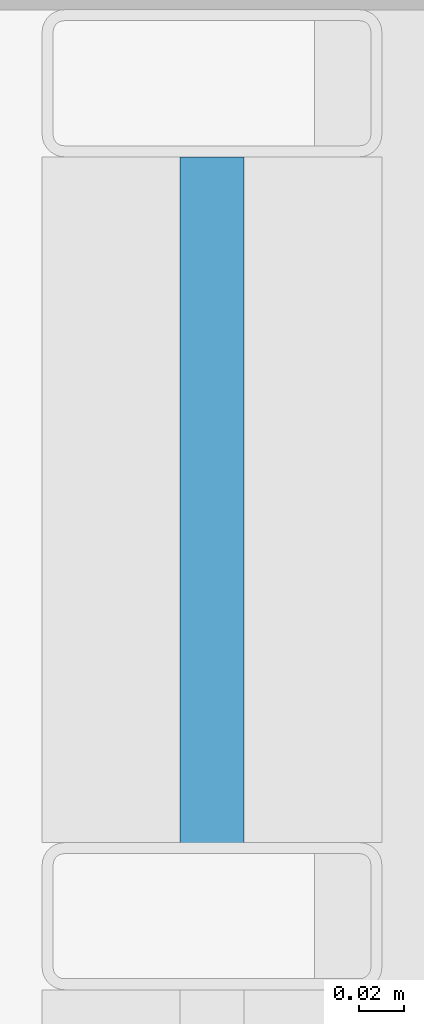
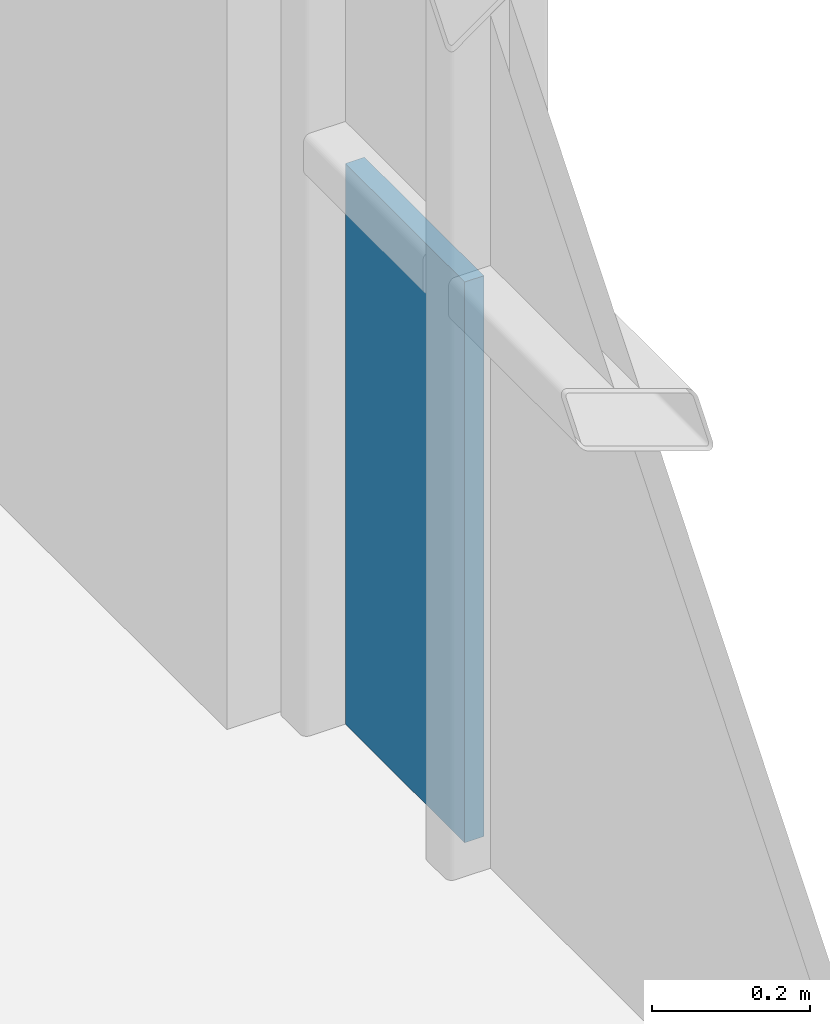
# One storey, part 32 of 41: 1 plate, 1 element without a shape of its own.
"""IFC4 building model written with IfcOpenShell, lengths in metres."""

from ifc_helpers import new_model, si_unit, direction, frame, origin, origin_2d, place, context, subcontext, project, spatial, rectangle, extrude, material, layer, layer_set, type_object, element, aggregate, save


model = new_model("IFC4")

# Units and contexts
model_context = context("Model", 3, precision=1e-05, world=origin(), true_north=direction((0.0, 1.0)))
body_context = subcontext(model_context, "Body", "Model", "MODEL_VIEW")
ifc_project = project(units=[si_unit("LENGTHUNIT", "METRE"), si_unit("AREAUNIT", "SQUARE_METRE"), si_unit("VOLUMEUNIT", "CUBIC_METRE"), si_unit("PLANEANGLEUNIT", "RADIAN"), si_unit("MASSUNIT", "GRAM", prefix="KILO")], contexts=[model_context])

# Site, building, storey
site_placement = place(None, origin())
site = spatial("IfcSite", under=ifc_project, at=site_placement, CompositionType="ELEMENT")
building_placement = place(site_placement, origin())
building = spatial("IfcBuilding", under=site, at=building_placement, Name="Brevholm Reach", CompositionType="ELEMENT")
storey_placement = place(building_placement, frame((0.0, 0.0, 144.89990234375)))
storey = spatial("IfcBuildingStorey", under=building, at=storey_placement, Name="L43", CompositionType="ELEMENT", Elevation=144.89990234375)

# Curtain wall, plate
ifc_material_1 = material(Name="Dark Anodised Aluminium 6063-T6 and Solar-Control Glass", Category="aluminium")
ifc_layer_1 = layer(ifc_material_1, 0.14990234375)
ifc_layer_set_1 = layer_set([ifc_layer_1], Name="Dark Anodised Aluminium 6063-T6 and Solar-Control Glass")
curtain_wall_type = type_object("IfcCurtainWallType", Name="CW-01", PredefinedType="NOTDEFINED", material=ifc_layer_set_1)
curtain_wall_placement = place(storey_placement, origin())
curtain_wall = element("IfcCurtainWall", 1, at=curtain_wall_placement, inside=storey, type_object=curtain_wall_type, Name="L43 Curtain Wall CW-01", PredefinedType="NOTDEFINED")
ifc_material_2 = material(Name="Dark Solar-Control Double-Glazed IGU Glass", Category="glass")
ifc_layer_2 = layer(ifc_material_2, 0.028076171875)
ifc_layer_set_2 = layer_set([ifc_layer_2], Name="Dark Solar-Control Double-Glazed IGU Glass")
plate_type = type_object("IfcPlateType", Name="CWP-GLZ-28", PredefinedType="CURTAIN_PANEL", material=ifc_layer_set_2)
plate_placement = place(storey_placement, frame((59.85009765625, 22.733642578125, 0.0), z_axis=(0.0, 0.0, 1.0), x_axis=(0.0, 1.0, 0.0)))
plate = element("IfcPlate", 2, at=plate_placement, type_object=plate_type, Name="CP-01 Glazing Panel 5.1", PredefinedType="CURTAIN_PANEL", context=body_context, shape_type="SweptSolid", body=[
    extrude(rectangle(XDim=0.302490234375, YDim=0.028076171875, at=origin_2d()), origin(), (0.0, 0.0, 1.0), 0.867431640625),
])
aggregate(curtain_wall, [plate])

save(model, "model.ifc")
